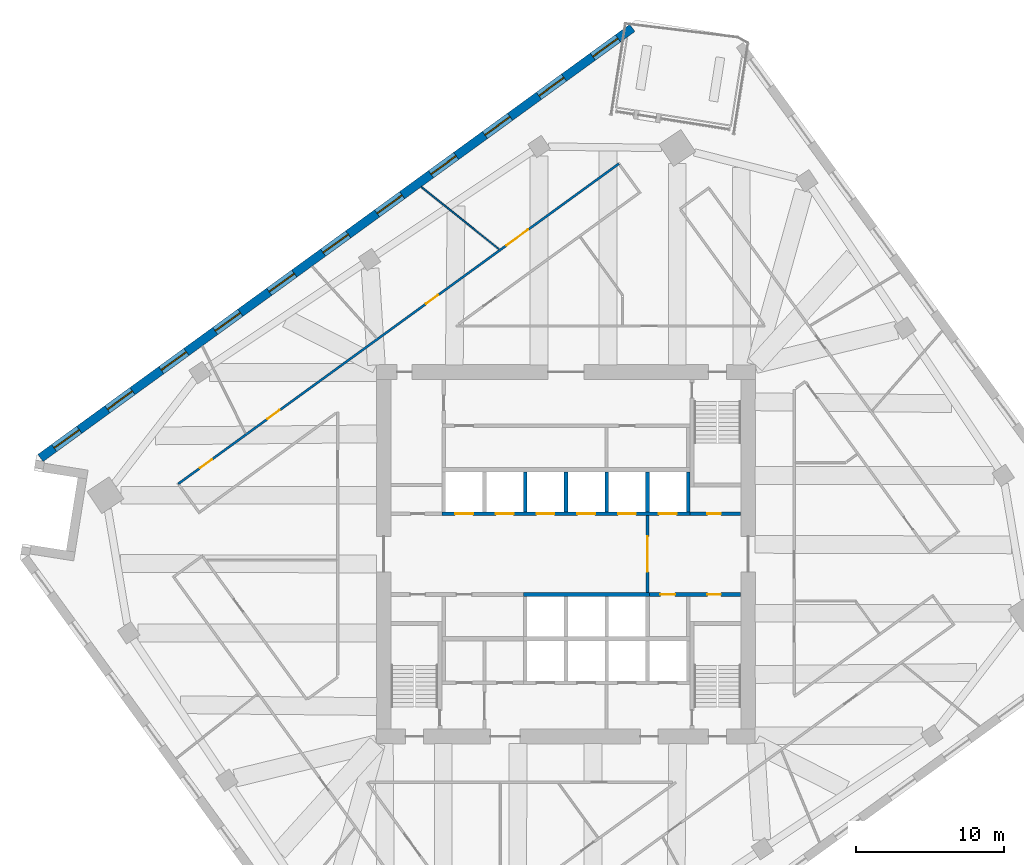
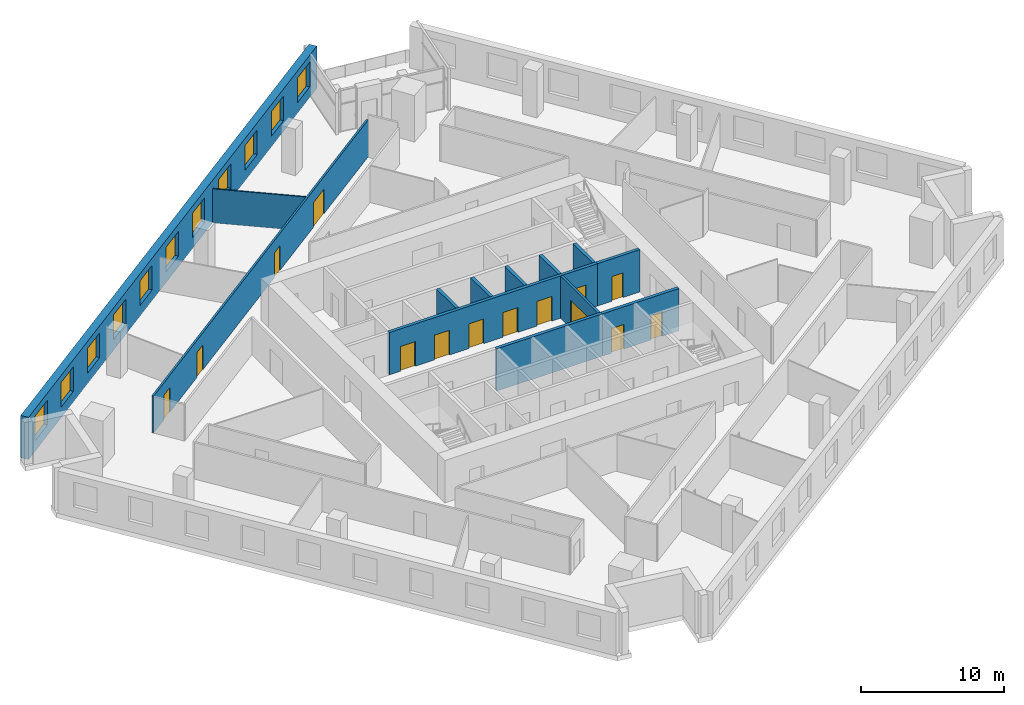
# One storey, part 7 of 11: 14 doors, 13 walls, 11 windows, 25 openings.
"""IFC4 building model written with IfcOpenShell, lengths in metres."""

from ifc_helpers import new_model, si_unit, direction, frame, frame_2d, origin, place, context, subcontext, project, spatial, rectangle, extrude, material, layer, layer_set, type_object, element, fill, save


model = new_model("IFC4")

# Units and contexts
model_context = context("Model", 3, precision=1e-05, world=origin(), true_north=direction((0.0, 1.0)))
body_context = subcontext(model_context, "Body", "Model", "MODEL_VIEW")
ifc_project = project(units=[si_unit("LENGTHUNIT", "METRE"), si_unit("AREAUNIT", "SQUARE_METRE"), si_unit("VOLUMEUNIT", "CUBIC_METRE"), si_unit("PLANEANGLEUNIT", "RADIAN"), si_unit("MASSUNIT", "GRAM", prefix="KILO")], contexts=[model_context])

# Site, building, storey
site_placement = place(None, origin())
site = spatial("IfcSite", under=ifc_project, at=site_placement, CompositionType="ELEMENT")
building_placement = place(site_placement, origin())
building = spatial("IfcBuilding", under=site, at=building_placement, Name="Dilmun Exchange Tower", CompositionType="ELEMENT")
storey_placement = place(building_placement, frame((0.0, 0.0, 163.699951171875)))
storey = spatial("IfcBuildingStorey", under=building, at=storey_placement, Name="L38", CompositionType="ELEMENT", Elevation=163.699951171875)

# Wall, opening, door
ifc_material_1 = material(Name="Concrete C40/50", Category="concrete")
ifc_layer_1 = layer(ifc_material_1, 0.199951171875)
ifc_layer_set_1 = layer_set([ifc_layer_1], Name="Concrete C40/50")
wall_type_1 = type_object("IfcWallType", Name="Core partition wall 200", PredefinedType="PARTITIONING", material=ifc_layer_set_1)
wall_1_placement = place(storey_placement, frame((5.5, -2.594970703125, 0.0), z_axis=(0.0, 0.0, 1.0), x_axis=(0.0, 1.0, 0.0)))
wall_1 = element("IfcWall", 1, at=wall_1_placement, inside=storey, type_object=wall_type_1, Name="L38 core partition wall 11", PredefinedType="PARTITIONING", context=body_context, shape_type="SweptSolid", body=[
    extrude(rectangle(XDim=5.18994140625, YDim=0.199951171875, at=frame_2d((2.594970703125, 0.0))), origin(), (0.0, 0.0, 1.0), 3.60009765625),
])
opening_1_placement = place(wall_1_placement, frame((1.39501953125, 0.0, 0.0)))
opening_1 = element("IfcOpeningElement", 2, at=opening_1_placement, cuts=wall_1, Name="Opening CD1", PredefinedType="OPENING", context=body_context, shape_type="SweptSolid", body=[
    extrude(rectangle(XDim=2.39990234375, YDim=2.39990234375, at=frame_2d((1.199951171875, 1.199951171875))), frame((0.0, 0.10986328125, 0.0), z_axis=(0.0, -1.0, 0.0), x_axis=(1.0, 0.0, 0.0)), (0.0, 0.0, 1.0), 0.219970703125),
])
ifc_material_2 = material(Name="Fire-rated steel door set", Category="steel")
door_type_1 = type_object("IfcDoorType", Name="Core lobby door 2400x2400", OperationType="DOUBLE_DOOR_DOUBLE_SWING", PredefinedType="DOOR", material=ifc_material_2)
door_1_placement = place(opening_1_placement, origin())
door_1 = element("IfcDoor", 3, at=door_1_placement, inside=storey, type_object=door_type_1, Name="L38 door Lift lobby east", OperationType="SINGLE_SWING_LEFT", OverallHeight=2.39990234375, OverallWidth=2.39990234375, PredefinedType="DOOR", context=body_context, shape_type="SweptSolid", body=[
    extrude(rectangle(XDim=2.39990234375, YDim=2.39990234375, at=frame_2d((1.199951171875, 1.199951171875))), frame((0.0, 0.02490234375, 0.0), z_axis=(0.0, -1.0, 0.0), x_axis=(1.0, 0.0, 0.0)), (0.0, 0.0, 1.0), 0.050048828125),
])
fill(opening_1, door_1)

# Wall, openings, doors
ifc_layer_2 = layer(ifc_material_1, 0.25)
ifc_layer_set_2 = layer_set([ifc_layer_2], Name="Concrete C40/50")
wall_type_2 = type_object("IfcWallType", Name="Core partition wall 250", PredefinedType="PARTITIONING", material=ifc_layer_set_2)
wall_2_placement = place(storey_placement, frame((5.6298828125, -2.72509765625, 0.0), z_axis=(0.0, 0.0, 1.0), x_axis=(1.0, 0.0, 0.0)))
wall_2 = element("IfcWall", 4, at=wall_2_placement, inside=storey, type_object=wall_type_2, Name="L38 core partition wall 10", PredefinedType="PARTITIONING", context=body_context, shape_type="SweptSolid", body=[
    extrude(rectangle(XDim=6.1650390625, YDim=0.25, at=frame_2d((3.08251953125, 0.0))), origin(), (0.0, 0.0, 1.0), 3.60009765625),
])
opening_2_placement = place(wall_2_placement, frame((0.7451171875, 0.0, 0.0)))
opening_2 = element("IfcOpeningElement", 5, at=opening_2_placement, cuts=wall_2, Name="Opening CD4", PredefinedType="OPENING", context=body_context, shape_type="SweptSolid", body=[
    extrude(rectangle(XDim=1.0, YDim=2.10009765625, at=frame_2d((0.5, 1.050048828125))), frame((0.0, 0.135009765625, 0.0), z_axis=(0.0, -1.0, 0.0), x_axis=(1.0, 0.0, 0.0)), (0.0, 0.0, 1.0), 0.27001953125),
])
opening_3_placement = place(wall_2_placement, frame((3.919921875, 0.0, 0.0)))
opening_3 = element("IfcOpeningElement", 6, at=opening_3_placement, cuts=wall_2, Name="Opening CD6", PredefinedType="OPENING", context=body_context, shape_type="SweptSolid", body=[
    extrude(rectangle(XDim=0.89990234375, YDim=2.10009765625, at=frame_2d((0.449951171875, 1.050048828125))), frame((0.0, 0.135009765625, 0.0), z_axis=(0.0, -1.0, 0.0), x_axis=(1.0, 0.0, 0.0)), (0.0, 0.0, 1.0), 0.27001953125),
])
door_type_2 = type_object("IfcDoorType", Name="Core room door 1000x2100", OperationType="SINGLE_SWING_LEFT", PredefinedType="DOOR", material=ifc_material_2)
door_2_placement = place(opening_2_placement, origin())
door_2 = element("IfcDoor", 7, at=door_2_placement, inside=storey, type_object=door_type_2, Name="L38 door Cleaners' store", OperationType="SINGLE_SWING_LEFT", OverallHeight=2.10009765625, OverallWidth=1.0, PredefinedType="DOOR", context=body_context, shape_type="SweptSolid", body=[
    extrude(rectangle(XDim=1.0, YDim=2.10009765625, at=frame_2d((0.5, 1.050048828125))), frame((0.0, 0.02490234375, 0.0), z_axis=(0.0, -1.0, 0.0), x_axis=(1.0, 0.0, 0.0)), (0.0, 0.0, 1.0), 0.050048828125),
])
fill(opening_2, door_2)
door_type_3 = type_object("IfcDoorType", Name="Core room door 900x2100", OperationType="SINGLE_SWING_LEFT", PredefinedType="DOOR", material=ifc_material_2)
door_3_placement = place(opening_3_placement, origin())
door_3 = element("IfcDoor", 8, at=door_3_placement, inside=storey, type_object=door_type_3, Name="L38 door Comms riser", OperationType="SINGLE_SWING_LEFT", OverallHeight=2.10009765625, OverallWidth=0.89990234375, PredefinedType="DOOR", context=body_context, shape_type="SweptSolid", body=[
    extrude(rectangle(XDim=0.89990234375, YDim=2.10009765625, at=frame_2d((0.449951171875, 1.050048828125))), frame((0.0, 0.02490234375, 0.0), z_axis=(0.0, -1.0, 0.0), x_axis=(1.0, 0.0, 0.0)), (0.0, 0.0, 1.0), 0.050048828125),
])
fill(opening_3, door_3)

# Wall, opening, door
wall_3_placement = place(storey_placement, frame((8.3798828125, 2.72509765625, 0.0), z_axis=(0.0, 0.0, 1.0), x_axis=(1.0, 0.0, 0.0)))
wall_3 = element("IfcWall", 9, at=wall_3_placement, inside=storey, type_object=wall_type_2, Name="L38 core partition wall 13", PredefinedType="PARTITIONING", context=body_context, shape_type="SweptSolid", body=[
    extrude(rectangle(XDim=3.4150390625, YDim=0.25, at=frame_2d((1.70751953125, 0.0))), origin(), (0.0, 0.0, 1.0), 3.60009765625),
])
opening_4_placement = place(wall_3_placement, frame((1.169921875, 0.0, 0.0)))
opening_4 = element("IfcOpeningElement", 10, at=opening_4_placement, cuts=wall_3, Name="Opening CD6", PredefinedType="OPENING", context=body_context, shape_type="SweptSolid", body=[
    extrude(rectangle(XDim=0.89990234375, YDim=2.10009765625, at=frame_2d((0.449951171875, 1.050048828125))), frame((0.0, 0.135009765625, 0.0), z_axis=(0.0, -1.0, 0.0), x_axis=(1.0, 0.0, 0.0)), (0.0, 0.0, 1.0), 0.27001953125),
])
door_4_placement = place(opening_4_placement, origin())
door_4 = element("IfcDoor", 11, at=door_4_placement, inside=storey, type_object=door_type_3, Name="L38 door Electrical riser", OperationType="SINGLE_SWING_LEFT", OverallHeight=2.10009765625, OverallWidth=0.89990234375, PredefinedType="DOOR", context=body_context, shape_type="SweptSolid", body=[
    extrude(rectangle(XDim=0.89990234375, YDim=2.10009765625, at=frame_2d((0.449951171875, 1.050048828125))), frame((0.0, 0.02490234375, 0.0), z_axis=(0.0, -1.0, 0.0), x_axis=(1.0, 0.0, 0.0)), (0.0, 0.0, 1.0), 0.050048828125),
])
fill(opening_4, door_4)

# Wall, openings, doors
ifc_material_3 = material(Name="Corridor wall 150")
ifc_layer_3 = layer(ifc_material_3, 0.14990234375)
ifc_layer_set_3 = layer_set([ifc_layer_3], Name="Corridor wall 150")
wall_type_3 = type_object("IfcWallType", Name="Corridor wall 150", PredefinedType="PARTITIONING", material=ifc_layer_set_3)
wall_4_placement = place(storey_placement, frame((-26.166015625, 4.7490234375, 0.0), z_axis=(0.0, 0.0, 1.0), x_axis=(0.809023795939, 0.587775890628, 0.0)))
wall_4 = element("IfcWall", 12, at=wall_4_placement, inside=storey, type_object=wall_type_3, Name="Corridor wall", PredefinedType="PARTITIONING", context=body_context, shape_type="SweptSolid", body=[
    extrude(rectangle(XDim=36.755615234375, YDim=0.14990234375, at=frame_2d((18.3779296875, 0.0))), origin(), (0.0, 0.0, 1.0), 3.150146484375),
])
opening_5_placement = place(wall_4_placement, frame((1.800048828125, 0.0, 0.0)))
opening_5 = element("IfcOpeningElement", 13, at=opening_5_placement, cuts=wall_4, Name="Opening TF38-D02", PredefinedType="OPENING", context=body_context, shape_type="SweptSolid", body=[
    extrude(rectangle(XDim=1.0, YDim=2.10009765625, at=frame_2d((0.5, 1.050048828125))), frame((0.0, 0.0849609375, 0.0), z_axis=(0.0, -1.0, 0.0), x_axis=(1.0, 0.0, 0.0)), (0.0, 0.0, 1.0), 0.169921875),
])
opening_6_placement = place(wall_4_placement, frame((7.453369140625, 0.0, 0.0)))
opening_6 = element("IfcOpeningElement", 14, at=opening_6_placement, cuts=wall_4, Name="Opening TF38-D04", PredefinedType="OPENING", context=body_context, shape_type="SweptSolid", body=[
    extrude(rectangle(XDim=1.0, YDim=2.10009765625, at=frame_2d((0.5, 1.050048828125))), frame((0.0, 0.0849609375, 0.0), z_axis=(0.0, -1.0, 0.0), x_axis=(1.0, 0.0, 0.0)), (0.0, 0.0, 1.0), 0.169921875),
])
opening_7_placement = place(wall_4_placement, frame((20.670654296875, 0.0, 0.0)))
opening_7 = element("IfcOpeningElement", 15, at=opening_7_placement, cuts=wall_4, Name="Opening TF38-D06", PredefinedType="OPENING", context=body_context, shape_type="SweptSolid", body=[
    extrude(rectangle(XDim=1.0, YDim=2.10009765625, at=frame_2d((0.5, 1.050048828125))), frame((0.0, 0.0849609375, 0.0), z_axis=(0.0, -1.0, 0.0), x_axis=(1.0, 0.0, 0.0)), (0.0, 0.0, 1.0), 0.169921875),
])
opening_8_placement = place(wall_4_placement, frame((27.3818359375, 0.0, 0.0)))
opening_8 = element("IfcOpeningElement", 16, at=opening_8_placement, cuts=wall_4, Name="Opening TF38-D13", PredefinedType="OPENING", context=body_context, shape_type="SweptSolid", body=[
    extrude(rectangle(XDim=1.800048828125, YDim=2.10009765625, at=frame_2d((0.89990234375, 1.050048828125))), frame((0.0, 0.0849609375, 0.0), z_axis=(0.0, -1.0, 0.0), x_axis=(1.0, 0.0, 0.0)), (0.0, 0.0, 1.0), 0.169921875),
])
ifc_material_4 = material(Name="Fire door 1000 x 2100")
door_type_4 = type_object("IfcDoorType", Name="Fire door 1000 x 2100", OperationType="NOTDEFINED", PredefinedType="DOOR", material=ifc_material_4)
door_5_placement = place(opening_5_placement, origin())
door_5 = element("IfcDoor", 17, at=door_5_placement, inside=storey, type_object=door_type_4, Name="Door TF38-D02", OperationType="SINGLE_SWING_RIGHT", OverallHeight=2.10009765625, OverallWidth=1.0, PredefinedType="DOOR", context=body_context, shape_type="SweptSolid", body=[
    extrude(rectangle(XDim=1.0, YDim=2.10009765625, at=frame_2d((0.5, 1.050048828125))), frame((0.0, 0.02490234375, 0.0), z_axis=(0.0, -1.0, 0.0), x_axis=(1.0, 0.0, 0.0)), (0.0, 0.0, 1.0), 0.050048828125),
])
fill(opening_5, door_5)
door_6_placement = place(opening_6_placement, origin())
door_6 = element("IfcDoor", 18, at=door_6_placement, inside=storey, type_object=door_type_4, Name="Door TF38-D04", OperationType="SINGLE_SWING_LEFT", OverallHeight=2.10009765625, OverallWidth=1.0, PredefinedType="DOOR", context=body_context, shape_type="SweptSolid", body=[
    extrude(rectangle(XDim=1.0, YDim=2.10009765625, at=frame_2d((0.5, 1.050048828125))), frame((0.0, 0.02490234375, 0.0), z_axis=(0.0, -1.0, 0.0), x_axis=(1.0, 0.0, 0.0)), (0.0, 0.0, 1.0), 0.050048828125),
])
fill(opening_6, door_6)
door_7_placement = place(opening_7_placement, origin())
door_7 = element("IfcDoor", 19, at=door_7_placement, inside=storey, type_object=door_type_4, Name="Door TF38-D06", OperationType="SINGLE_SWING_LEFT", OverallHeight=2.10009765625, OverallWidth=1.0, PredefinedType="DOOR", context=body_context, shape_type="SweptSolid", body=[
    extrude(rectangle(XDim=1.0, YDim=2.10009765625, at=frame_2d((0.5, 1.050048828125))), frame((0.0, 0.02490234375, 0.0), z_axis=(0.0, -1.0, 0.0), x_axis=(1.0, 0.0, 0.0)), (0.0, 0.0, 1.0), 0.050048828125),
])
fill(opening_7, door_7)
ifc_material_5 = material(Name="Fire door pair 1800 x 2100")
door_type_5 = type_object("IfcDoorType", Name="Fire door pair 1800 x 2100", OperationType="NOTDEFINED", PredefinedType="DOOR", material=ifc_material_5)
door_8_placement = place(opening_8_placement, origin())
door_8 = element("IfcDoor", 20, at=door_8_placement, inside=storey, type_object=door_type_5, Name="Door TF38-D13", OperationType="DOUBLE_DOOR_SINGLE_SWING", OverallHeight=2.10009765625, OverallWidth=1.800048828125, PredefinedType="DOOR", context=body_context, shape_type="SweptSolid", body=[
    extrude(rectangle(XDim=1.800048828125, YDim=2.10009765625, at=frame_2d((0.89990234375, 1.050048828125))), frame((0.0, 0.02490234375, 0.0), z_axis=(0.0, -1.0, 0.0), x_axis=(1.0, 0.0, 0.0)), (0.0, 0.0, 1.0), 0.050048828125),
])
fill(opening_8, door_8)

ifc_layer_4 = layer(ifc_material_1, 0.25)
ifc_layer_set_4 = layer_set([ifc_layer_4], Name="Concrete C40/50")
wall_type_4 = type_object("IfcWallType", Name="Lift shaft wall 250", PredefinedType="SOLIDWALL", material=ifc_layer_set_4)
wall_5_placement = place(storey_placement, frame((-8.375, 2.72509765625, 0.0), z_axis=(0.0, 0.0, 1.0), x_axis=(1.0, 0.0, 0.0)))
wall_5 = element("IfcWall", 21, at=wall_5_placement, inside=storey, type_object=wall_type_4, Name="L38 lift shaft front wall N1", PredefinedType="SOLIDWALL", context=body_context, shape_type="SweptSolid", body=[
    extrude(rectangle(XDim=16.75, YDim=0.25, at=frame_2d((8.375, 0.0))), origin(), (0.0, 0.0, 1.0), 3.60009765625),
])
opening_9_placement = place(wall_5_placement, frame((0.89990234375, 0.0, 0.0)))
opening_9 = element("IfcOpeningElement", 22, at=opening_9_placement, cuts=wall_5, Name="Opening LD", PredefinedType="OPENING", context=body_context, shape_type="SweptSolid", body=[
    extrude(rectangle(XDim=1.199951171875, YDim=2.10009765625, at=frame_2d((0.60009765625, 1.050048828125))), frame((0.0, 0.135009765625, 0.0), z_axis=(0.0, -1.0, 0.0), x_axis=(1.0, 0.0, 0.0)), (0.0, 0.0, 1.0), 0.27001953125),
])
opening_10_placement = place(wall_5_placement, frame((3.64990234375, 0.0, 0.0)))
opening_10 = element("IfcOpeningElement", 23, at=opening_10_placement, cuts=wall_5, Name="Opening LD", PredefinedType="OPENING", context=body_context, shape_type="SweptSolid", body=[
    extrude(rectangle(XDim=1.199951171875, YDim=2.10009765625, at=frame_2d((0.60009765625, 1.050048828125))), frame((0.0, 0.135009765625, 0.0), z_axis=(0.0, -1.0, 0.0), x_axis=(1.0, 0.0, 0.0)), (0.0, 0.0, 1.0), 0.27001953125),
])
opening_11_placement = place(wall_5_placement, frame((6.39990234375, 0.0, 0.0)))
opening_11 = element("IfcOpeningElement", 24, at=opening_11_placement, cuts=wall_5, Name="Opening LD", PredefinedType="OPENING", context=body_context, shape_type="SweptSolid", body=[
    extrude(rectangle(XDim=1.199951171875, YDim=2.10009765625, at=frame_2d((0.60009765625, 1.050048828125))), frame((0.0, 0.135009765625, 0.0), z_axis=(0.0, -1.0, 0.0), x_axis=(1.0, 0.0, 0.0)), (0.0, 0.0, 1.0), 0.27001953125),
])
opening_12_placement = place(wall_5_placement, frame((9.14990234375, 0.0, 0.0)))
opening_12 = element("IfcOpeningElement", 25, at=opening_12_placement, cuts=wall_5, Name="Opening LD", PredefinedType="OPENING", context=body_context, shape_type="SweptSolid", body=[
    extrude(rectangle(XDim=1.199951171875, YDim=2.10009765625, at=frame_2d((0.60009765625, 1.050048828125))), frame((0.0, 0.135009765625, 0.0), z_axis=(0.0, -1.0, 0.0), x_axis=(1.0, 0.0, 0.0)), (0.0, 0.0, 1.0), 0.27001953125),
])
opening_13_placement = place(wall_5_placement, frame((11.89990234375, 0.0, 0.0)))
opening_13 = element("IfcOpeningElement", 26, at=opening_13_placement, cuts=wall_5, Name="Opening LD", PredefinedType="OPENING", context=body_context, shape_type="SweptSolid", body=[
    extrude(rectangle(XDim=1.199951171875, YDim=2.10009765625, at=frame_2d((0.60009765625, 1.050048828125))), frame((0.0, 0.135009765625, 0.0), z_axis=(0.0, -1.0, 0.0), x_axis=(1.0, 0.0, 0.0)), (0.0, 0.0, 1.0), 0.27001953125),
])
opening_14_placement = place(wall_5_placement, frame((14.64990234375, 0.0, 0.0)))
opening_14 = element("IfcOpeningElement", 27, at=opening_14_placement, cuts=wall_5, Name="Opening LD", PredefinedType="OPENING", context=body_context, shape_type="SweptSolid", body=[
    extrude(rectangle(XDim=1.199951171875, YDim=2.10009765625, at=frame_2d((0.60009765625, 1.050048828125))), frame((0.0, 0.135009765625, 0.0), z_axis=(0.0, -1.0, 0.0), x_axis=(1.0, 0.0, 0.0)), (0.0, 0.0, 1.0), 0.27001953125),
])
door_type_6 = type_object("IfcDoorType", Name="Lift landing door 1200x2100", OperationType="DOUBLE_DOOR_SLIDING", PredefinedType="DOOR", material=ifc_material_2)
door_9_placement = place(opening_9_placement, origin())
door_9 = element("IfcDoor", 28, at=door_9_placement, inside=storey, type_object=door_type_6, Name="L38 landing door MR1", OperationType="DOUBLE_DOOR_SLIDING", OverallHeight=2.10009765625, OverallWidth=1.199951171875, PredefinedType="DOOR", context=body_context, shape_type="SweptSolid", body=[
    extrude(rectangle(XDim=1.199951171875, YDim=2.10009765625, at=frame_2d((0.60009765625, 1.050048828125))), frame((0.0, 0.02490234375, 0.0), z_axis=(0.0, -1.0, 0.0), x_axis=(1.0, 0.0, 0.0)), (0.0, 0.0, 1.0), 0.050048828125),
])
fill(opening_9, door_9)
door_10_placement = place(opening_10_placement, origin())
door_10 = element("IfcDoor", 29, at=door_10_placement, inside=storey, type_object=door_type_6, Name="L38 landing door MR2", OperationType="DOUBLE_DOOR_SLIDING", OverallHeight=2.10009765625, OverallWidth=1.199951171875, PredefinedType="DOOR", context=body_context, shape_type="SweptSolid", body=[
    extrude(rectangle(XDim=1.199951171875, YDim=2.10009765625, at=frame_2d((0.60009765625, 1.050048828125))), frame((0.0, 0.02490234375, 0.0), z_axis=(0.0, -1.0, 0.0), x_axis=(1.0, 0.0, 0.0)), (0.0, 0.0, 1.0), 0.050048828125),
])
fill(opening_10, door_10)
door_11_placement = place(opening_11_placement, origin())
door_11 = element("IfcDoor", 30, at=door_11_placement, inside=storey, type_object=door_type_6, Name="L38 landing door MR3", OperationType="DOUBLE_DOOR_SLIDING", OverallHeight=2.10009765625, OverallWidth=1.199951171875, PredefinedType="DOOR", context=body_context, shape_type="SweptSolid", body=[
    extrude(rectangle(XDim=1.199951171875, YDim=2.10009765625, at=frame_2d((0.60009765625, 1.050048828125))), frame((0.0, 0.02490234375, 0.0), z_axis=(0.0, -1.0, 0.0), x_axis=(1.0, 0.0, 0.0)), (0.0, 0.0, 1.0), 0.050048828125),
])
fill(opening_11, door_11)
door_12_placement = place(opening_12_placement, origin())
door_12 = element("IfcDoor", 31, at=door_12_placement, inside=storey, type_object=door_type_6, Name="L38 landing door MR4", OperationType="DOUBLE_DOOR_SLIDING", OverallHeight=2.10009765625, OverallWidth=1.199951171875, PredefinedType="DOOR", context=body_context, shape_type="SweptSolid", body=[
    extrude(rectangle(XDim=1.199951171875, YDim=2.10009765625, at=frame_2d((0.60009765625, 1.050048828125))), frame((0.0, 0.02490234375, 0.0), z_axis=(0.0, -1.0, 0.0), x_axis=(1.0, 0.0, 0.0)), (0.0, 0.0, 1.0), 0.050048828125),
])
fill(opening_12, door_12)
door_13_placement = place(opening_13_placement, origin())
door_13 = element("IfcDoor", 32, at=door_13_placement, inside=storey, type_object=door_type_6, Name="L38 landing door MR5", OperationType="DOUBLE_DOOR_SLIDING", OverallHeight=2.10009765625, OverallWidth=1.199951171875, PredefinedType="DOOR", context=body_context, shape_type="SweptSolid", body=[
    extrude(rectangle(XDim=1.199951171875, YDim=2.10009765625, at=frame_2d((0.60009765625, 1.050048828125))), frame((0.0, 0.02490234375, 0.0), z_axis=(0.0, -1.0, 0.0), x_axis=(1.0, 0.0, 0.0)), (0.0, 0.0, 1.0), 0.050048828125),
])
fill(opening_13, door_13)
door_14_placement = place(opening_14_placement, origin())
door_14 = element("IfcDoor", 33, at=door_14_placement, inside=storey, type_object=door_type_6, Name="L38 landing door MR6", OperationType="DOUBLE_DOOR_SLIDING", OverallHeight=2.10009765625, OverallWidth=1.199951171875, PredefinedType="DOOR", context=body_context, shape_type="SweptSolid", body=[
    extrude(rectangle(XDim=1.199951171875, YDim=2.10009765625, at=frame_2d((0.60009765625, 1.050048828125))), frame((0.0, 0.02490234375, 0.0), z_axis=(0.0, -1.0, 0.0), x_axis=(1.0, 0.0, 0.0)), (0.0, 0.0, 1.0), 0.050048828125),
])
fill(opening_14, door_14)

# Walls
for number, where, z_axis, x_axis, name in (
    (34, (-2.75, 2.85009765625, 0.0), (0.0, 0.0, 1.0), (0.0, 1.0, 0.0), "L38 lift shaft divider N12"),
    (35, (0.0, 2.85009765625, 0.0), (0.0, 0.0, 1.0), (0.0, 1.0, 0.0), "L38 lift shaft divider N13"),
    (36, (2.75, 2.85009765625, 0.0), (0.0, 0.0, 1.0), (0.0, 1.0, 0.0), "L38 lift shaft divider N14"),
    (37, (5.5, 2.85009765625, 0.0), (0.0, 0.0, 1.0), (0.0, 1.0, 0.0), "L38 lift shaft divider N15"),
    (38, (8.25, 2.85009765625, 0.0), (0.0, 0.0, 1.0), (0.0, 1.0, 0.0), "L38 lift shaft divider N16"),
):
    element("IfcWall", number, at=place(storey_placement, frame(where, z_axis=z_axis, x_axis=x_axis)), inside=storey, type_object=wall_type_4, Name=name, PredefinedType="SOLIDWALL", context=body_context, shape_type="SweptSolid", body=[
        extrude(rectangle(XDim=2.699951171875, YDim=0.25, at=frame_2d((1.35009765625, 0.0))), origin(), (0.0, 0.0, 1.0), 3.60009765625),
    ])
wall_6_placement = place(storey_placement, frame((-2.875, -2.72509765625, 0.0), z_axis=(0.0, 0.0, 1.0), x_axis=(1.0, 0.0, 0.0)))
element("IfcWall", 39, at=wall_6_placement, inside=storey, type_object=wall_type_4, Name="L38 lift shaft front wall S1", PredefinedType="SOLIDWALL", context=body_context, shape_type="SweptSolid", body=[
    extrude(rectangle(XDim=8.5, YDim=0.25, at=frame_2d((4.25, 0.0))), origin(), (0.0, 0.0, 1.0), 3.60009765625),
])
ifc_material_6 = material(Name="Partition 100")
ifc_layer_5 = layer(ifc_material_6, 0.10009765625)
ifc_layer_set_5 = layer_set([ifc_layer_5], Name="Partition 100")
wall_type_5 = type_object("IfcWallType", Name="Partition 100", PredefinedType="PARTITIONING", material=ifc_layer_set_5)
wall_7_placement = place(storey_placement, frame((-9.773681640625, 24.787109375, 0.0), z_axis=(0.0, 0.0, 1.0), x_axis=(0.780787363182, -0.624796841778, 0.0)))
element("IfcWall", 40, at=wall_7_placement, inside=storey, type_object=wall_type_5, Name="Partition", PredefinedType="PARTITIONING", context=body_context, shape_type="SweptSolid", body=[
    extrude(rectangle(XDim=6.726806640625, YDim=0.10009765625, at=frame_2d((3.36328125, 0.0))), origin(), (0.0, 0.0, 1.0), 2.900146484375),
])

# Wall, openings, windows
ifc_material_7 = material(Name="Precast concrete C50/60", Category="concrete")
ifc_layer_6 = layer(ifc_material_7, 0.60009765625)
ifc_layer_set_6 = layer_set([ifc_layer_6], Name="Precast concrete C50/60")
wall_type_6 = type_object("IfcWallType", Name="Precast stone-clad wall 600", PredefinedType="STANDARD", material=ifc_layer_set_6)
wall_8_placement = place(storey_placement, frame((4.479736328125, 35.51611328125, 0.0), z_axis=(0.0, 0.0, 1.0), x_axis=(-0.809018017995, -0.587783843398, 0.0)))
wall_8 = element("IfcWall", 41, at=wall_8_placement, inside=storey, type_object=wall_type_6, Name="Facade wall L38-03", PredefinedType="STANDARD", context=body_context, shape_type="SweptSolid", body=[
    extrude(rectangle(XDim=49.375732421875, YDim=0.60009765625, at=frame_2d((24.68798828125, 0.0))), origin(), (0.0, 0.0, 1.0), 3.60009765625),
])
opening_15_placement = place(wall_8_placement, frame((1.199951171875, 0.0, 0.89990234375)))
opening_15 = element("IfcOpeningElement", 42, at=opening_15_placement, cuts=wall_8, Name="Opening W210-210", PredefinedType="OPENING", context=body_context, shape_type="SweptSolid", body=[
    extrude(rectangle(XDim=2.10009765625, YDim=2.10009765625, at=frame_2d((1.050048828125, 1.050048828125))), frame((0.0, 0.31005859375, 0.0), z_axis=(0.0, -1.0, 0.0), x_axis=(1.0, 0.0, 0.0)), (0.0, 0.0, 1.0), 0.6201171875),
])
opening_16_placement = place(wall_8_placement, frame((5.699951171875, 0.0, 0.89990234375)))
opening_16 = element("IfcOpeningElement", 43, at=opening_16_placement, cuts=wall_8, Name="Opening W210-210", PredefinedType="OPENING", context=body_context, shape_type="SweptSolid", body=[
    extrude(rectangle(XDim=2.10009765625, YDim=2.10009765625, at=frame_2d((1.050048828125, 1.050048828125))), frame((0.0, 0.31005859375, 0.0), z_axis=(0.0, -1.0, 0.0), x_axis=(1.0, 0.0, 0.0)), (0.0, 0.0, 1.0), 0.6201171875),
])
opening_17_placement = place(wall_8_placement, frame((10.199951171875, 0.0, 0.89990234375)))
opening_17 = element("IfcOpeningElement", 44, at=opening_17_placement, cuts=wall_8, Name="Opening W210-210", PredefinedType="OPENING", context=body_context, shape_type="SweptSolid", body=[
    extrude(rectangle(XDim=2.10009765625, YDim=2.10009765625, at=frame_2d((1.050048828125, 1.050048828125))), frame((0.0, 0.31005859375, 0.0), z_axis=(0.0, -1.0, 0.0), x_axis=(1.0, 0.0, 0.0)), (0.0, 0.0, 1.0), 0.6201171875),
])
opening_18_placement = place(wall_8_placement, frame((14.699951171875, 0.0, 0.89990234375)))
opening_18 = element("IfcOpeningElement", 45, at=opening_18_placement, cuts=wall_8, Name="Opening W210-210", PredefinedType="OPENING", context=body_context, shape_type="SweptSolid", body=[
    extrude(rectangle(XDim=2.10009765625, YDim=2.10009765625, at=frame_2d((1.050048828125, 1.050048828125))), frame((0.0, 0.31005859375, 0.0), z_axis=(0.0, -1.0, 0.0), x_axis=(1.0, 0.0, 0.0)), (0.0, 0.0, 1.0), 0.6201171875),
])
opening_19_placement = place(wall_8_placement, frame((19.199951171875, 0.0, 0.89990234375)))
opening_19 = element("IfcOpeningElement", 46, at=opening_19_placement, cuts=wall_8, Name="Opening W210-210", PredefinedType="OPENING", context=body_context, shape_type="SweptSolid", body=[
    extrude(rectangle(XDim=2.10009765625, YDim=2.10009765625, at=frame_2d((1.050048828125, 1.050048828125))), frame((0.0, 0.31005859375, 0.0), z_axis=(0.0, -1.0, 0.0), x_axis=(1.0, 0.0, 0.0)), (0.0, 0.0, 1.0), 0.6201171875),
])
opening_20_placement = place(wall_8_placement, frame((23.699951171875, 0.0, 0.89990234375)))
opening_20 = element("IfcOpeningElement", 47, at=opening_20_placement, cuts=wall_8, Name="Opening W210-210", PredefinedType="OPENING", context=body_context, shape_type="SweptSolid", body=[
    extrude(rectangle(XDim=2.10009765625, YDim=2.10009765625, at=frame_2d((1.050048828125, 1.050048828125))), frame((0.0, 0.31005859375, 0.0), z_axis=(0.0, -1.0, 0.0), x_axis=(1.0, 0.0, 0.0)), (0.0, 0.0, 1.0), 0.6201171875),
])
opening_21_placement = place(wall_8_placement, frame((28.199951171875, 0.0, 0.89990234375)))
opening_21 = element("IfcOpeningElement", 48, at=opening_21_placement, cuts=wall_8, Name="Opening W210-210", PredefinedType="OPENING", context=body_context, shape_type="SweptSolid", body=[
    extrude(rectangle(XDim=2.10009765625, YDim=2.10009765625, at=frame_2d((1.050048828125, 1.050048828125))), frame((0.0, 0.31005859375, 0.0), z_axis=(0.0, -1.0, 0.0), x_axis=(1.0, 0.0, 0.0)), (0.0, 0.0, 1.0), 0.6201171875),
])
opening_22_placement = place(wall_8_placement, frame((32.699951171875, 0.0, 0.89990234375)))
opening_22 = element("IfcOpeningElement", 49, at=opening_22_placement, cuts=wall_8, Name="Opening W210-210", PredefinedType="OPENING", context=body_context, shape_type="SweptSolid", body=[
    extrude(rectangle(XDim=2.10009765625, YDim=2.10009765625, at=frame_2d((1.050048828125, 1.050048828125))), frame((0.0, 0.31005859375, 0.0), z_axis=(0.0, -1.0, 0.0), x_axis=(1.0, 0.0, 0.0)), (0.0, 0.0, 1.0), 0.6201171875),
])
opening_23_placement = place(wall_8_placement, frame((37.199951171875, 0.0, 0.89990234375)))
opening_23 = element("IfcOpeningElement", 50, at=opening_23_placement, cuts=wall_8, Name="Opening W210-210", PredefinedType="OPENING", context=body_context, shape_type="SweptSolid", body=[
    extrude(rectangle(XDim=2.10009765625, YDim=2.10009765625, at=frame_2d((1.050048828125, 1.050048828125))), frame((0.0, 0.31005859375, 0.0), z_axis=(0.0, -1.0, 0.0), x_axis=(1.0, 0.0, 0.0)), (0.0, 0.0, 1.0), 0.6201171875),
])
opening_24_placement = place(wall_8_placement, frame((41.699951171875, 0.0, 0.89990234375)))
opening_24 = element("IfcOpeningElement", 51, at=opening_24_placement, cuts=wall_8, Name="Opening W210-210", PredefinedType="OPENING", context=body_context, shape_type="SweptSolid", body=[
    extrude(rectangle(XDim=2.10009765625, YDim=2.10009765625, at=frame_2d((1.050048828125, 1.050048828125))), frame((0.0, 0.31005859375, 0.0), z_axis=(0.0, -1.0, 0.0), x_axis=(1.0, 0.0, 0.0)), (0.0, 0.0, 1.0), 0.6201171875),
])
opening_25_placement = place(wall_8_placement, frame((46.137939453125, 0.0, 0.89990234375)))
opening_25 = element("IfcOpeningElement", 52, at=opening_25_placement, cuts=wall_8, Name="Opening W210-210", PredefinedType="OPENING", context=body_context, shape_type="SweptSolid", body=[
    extrude(rectangle(XDim=2.10009765625, YDim=2.10009765625, at=frame_2d((1.050048828125, 1.050048828125))), frame((0.0, 0.31005859375, 0.0), z_axis=(0.0, -1.0, 0.0), x_axis=(1.0, 0.0, 0.0)), (0.0, 0.0, 1.0), 0.6201171875),
])
ifc_material_8 = material(Name="Clear low-emissivity glass in aluminium frame", Category="aluminium")
window_type = type_object("IfcWindowType", Name="Punched window 2100 x 2100", PartitioningType="DOUBLE_PANEL_VERTICAL", PredefinedType="WINDOW", material=ifc_material_8)
window_1_placement = place(opening_15_placement, origin())
window_1 = element("IfcWindow", 53, at=window_1_placement, inside=storey, type_object=window_type, Name="Window 4.1", OverallHeight=2.10009765625, OverallWidth=2.10009765625, PartitioningType="SINGLE_PANEL", PredefinedType="WINDOW", context=body_context, shape_type="SweptSolid", body=[
    extrude(rectangle(XDim=2.10009765625, YDim=2.10009765625, at=frame_2d((1.050048828125, 1.050048828125))), frame((0.0, 0.030029296875, 0.0), z_axis=(0.0, -1.0, 0.0), x_axis=(1.0, 0.0, 0.0)), (0.0, 0.0, 1.0), 0.06005859375),
])
fill(opening_15, window_1)
window_2_placement = place(opening_16_placement, origin())
window_2 = element("IfcWindow", 54, at=window_2_placement, inside=storey, type_object=window_type, Name="Window 4.2", OverallHeight=2.10009765625, OverallWidth=2.10009765625, PartitioningType="SINGLE_PANEL", PredefinedType="WINDOW", context=body_context, shape_type="SweptSolid", body=[
    extrude(rectangle(XDim=2.10009765625, YDim=2.10009765625, at=frame_2d((1.050048828125, 1.050048828125))), frame((0.0, 0.030029296875, 0.0), z_axis=(0.0, -1.0, 0.0), x_axis=(1.0, 0.0, 0.0)), (0.0, 0.0, 1.0), 0.06005859375),
])
fill(opening_16, window_2)
window_3_placement = place(opening_17_placement, origin())
window_3 = element("IfcWindow", 55, at=window_3_placement, inside=storey, type_object=window_type, Name="Window 4.3", OverallHeight=2.10009765625, OverallWidth=2.10009765625, PartitioningType="SINGLE_PANEL", PredefinedType="WINDOW", context=body_context, shape_type="SweptSolid", body=[
    extrude(rectangle(XDim=2.10009765625, YDim=2.10009765625, at=frame_2d((1.050048828125, 1.050048828125))), frame((0.0, 0.030029296875, 0.0), z_axis=(0.0, -1.0, 0.0), x_axis=(1.0, 0.0, 0.0)), (0.0, 0.0, 1.0), 0.06005859375),
])
fill(opening_17, window_3)
window_4_placement = place(opening_18_placement, origin())
window_4 = element("IfcWindow", 56, at=window_4_placement, inside=storey, type_object=window_type, Name="Window 4.4", OverallHeight=2.10009765625, OverallWidth=2.10009765625, PartitioningType="SINGLE_PANEL", PredefinedType="WINDOW", context=body_context, shape_type="SweptSolid", body=[
    extrude(rectangle(XDim=2.10009765625, YDim=2.10009765625, at=frame_2d((1.050048828125, 1.050048828125))), frame((0.0, 0.030029296875, 0.0), z_axis=(0.0, -1.0, 0.0), x_axis=(1.0, 0.0, 0.0)), (0.0, 0.0, 1.0), 0.06005859375),
])
fill(opening_18, window_4)
window_5_placement = place(opening_19_placement, origin())
window_5 = element("IfcWindow", 57, at=window_5_placement, inside=storey, type_object=window_type, Name="Window 4.5", OverallHeight=2.10009765625, OverallWidth=2.10009765625, PartitioningType="SINGLE_PANEL", PredefinedType="WINDOW", context=body_context, shape_type="SweptSolid", body=[
    extrude(rectangle(XDim=2.10009765625, YDim=2.10009765625, at=frame_2d((1.050048828125, 1.050048828125))), frame((0.0, 0.030029296875, 0.0), z_axis=(0.0, -1.0, 0.0), x_axis=(1.0, 0.0, 0.0)), (0.0, 0.0, 1.0), 0.06005859375),
])
fill(opening_19, window_5)
window_6_placement = place(opening_20_placement, origin())
window_6 = element("IfcWindow", 58, at=window_6_placement, inside=storey, type_object=window_type, Name="Window 4.6", OverallHeight=2.10009765625, OverallWidth=2.10009765625, PartitioningType="SINGLE_PANEL", PredefinedType="WINDOW", context=body_context, shape_type="SweptSolid", body=[
    extrude(rectangle(XDim=2.10009765625, YDim=2.10009765625, at=frame_2d((1.050048828125, 1.050048828125))), frame((0.0, 0.030029296875, 0.0), z_axis=(0.0, -1.0, 0.0), x_axis=(1.0, 0.0, 0.0)), (0.0, 0.0, 1.0), 0.06005859375),
])
fill(opening_20, window_6)
window_7_placement = place(opening_21_placement, origin())
window_7 = element("IfcWindow", 59, at=window_7_placement, inside=storey, type_object=window_type, Name="Window 4.7", OverallHeight=2.10009765625, OverallWidth=2.10009765625, PartitioningType="SINGLE_PANEL", PredefinedType="WINDOW", context=body_context, shape_type="SweptSolid", body=[
    extrude(rectangle(XDim=2.10009765625, YDim=2.10009765625, at=frame_2d((1.050048828125, 1.050048828125))), frame((0.0, 0.030029296875, 0.0), z_axis=(0.0, -1.0, 0.0), x_axis=(1.0, 0.0, 0.0)), (0.0, 0.0, 1.0), 0.06005859375),
])
fill(opening_21, window_7)
window_8_placement = place(opening_22_placement, origin())
window_8 = element("IfcWindow", 60, at=window_8_placement, inside=storey, type_object=window_type, Name="Window 4.8", OverallHeight=2.10009765625, OverallWidth=2.10009765625, PartitioningType="SINGLE_PANEL", PredefinedType="WINDOW", context=body_context, shape_type="SweptSolid", body=[
    extrude(rectangle(XDim=2.10009765625, YDim=2.10009765625, at=frame_2d((1.050048828125, 1.050048828125))), frame((0.0, 0.030029296875, 0.0), z_axis=(0.0, -1.0, 0.0), x_axis=(1.0, 0.0, 0.0)), (0.0, 0.0, 1.0), 0.06005859375),
])
fill(opening_22, window_8)
window_9_placement = place(opening_23_placement, origin())
window_9 = element("IfcWindow", 61, at=window_9_placement, inside=storey, type_object=window_type, Name="Window 4.9", OverallHeight=2.10009765625, OverallWidth=2.10009765625, PartitioningType="SINGLE_PANEL", PredefinedType="WINDOW", context=body_context, shape_type="SweptSolid", body=[
    extrude(rectangle(XDim=2.10009765625, YDim=2.10009765625, at=frame_2d((1.050048828125, 1.050048828125))), frame((0.0, 0.030029296875, 0.0), z_axis=(0.0, -1.0, 0.0), x_axis=(1.0, 0.0, 0.0)), (0.0, 0.0, 1.0), 0.06005859375),
])
fill(opening_23, window_9)
window_10_placement = place(opening_24_placement, origin())
window_10 = element("IfcWindow", 62, at=window_10_placement, inside=storey, type_object=window_type, Name="Window 4.10", OverallHeight=2.10009765625, OverallWidth=2.10009765625, PartitioningType="SINGLE_PANEL", PredefinedType="WINDOW", context=body_context, shape_type="SweptSolid", body=[
    extrude(rectangle(XDim=2.10009765625, YDim=2.10009765625, at=frame_2d((1.050048828125, 1.050048828125))), frame((0.0, 0.030029296875, 0.0), z_axis=(0.0, -1.0, 0.0), x_axis=(1.0, 0.0, 0.0)), (0.0, 0.0, 1.0), 0.06005859375),
])
fill(opening_24, window_10)
window_11_placement = place(opening_25_placement, origin())
window_11 = element("IfcWindow", 63, at=window_11_placement, inside=storey, type_object=window_type, Name="Window 4.11", OverallHeight=2.10009765625, OverallWidth=2.10009765625, PartitioningType="SINGLE_PANEL", PredefinedType="WINDOW", context=body_context, shape_type="SweptSolid", body=[
    extrude(rectangle(XDim=2.10009765625, YDim=2.10009765625, at=frame_2d((1.050048828125, 1.050048828125))), frame((0.0, 0.030029296875, 0.0), z_axis=(0.0, -1.0, 0.0), x_axis=(1.0, 0.0, 0.0)), (0.0, 0.0, 1.0), 0.06005859375),
])
fill(opening_25, window_11)

save(model, "model.ifc")
